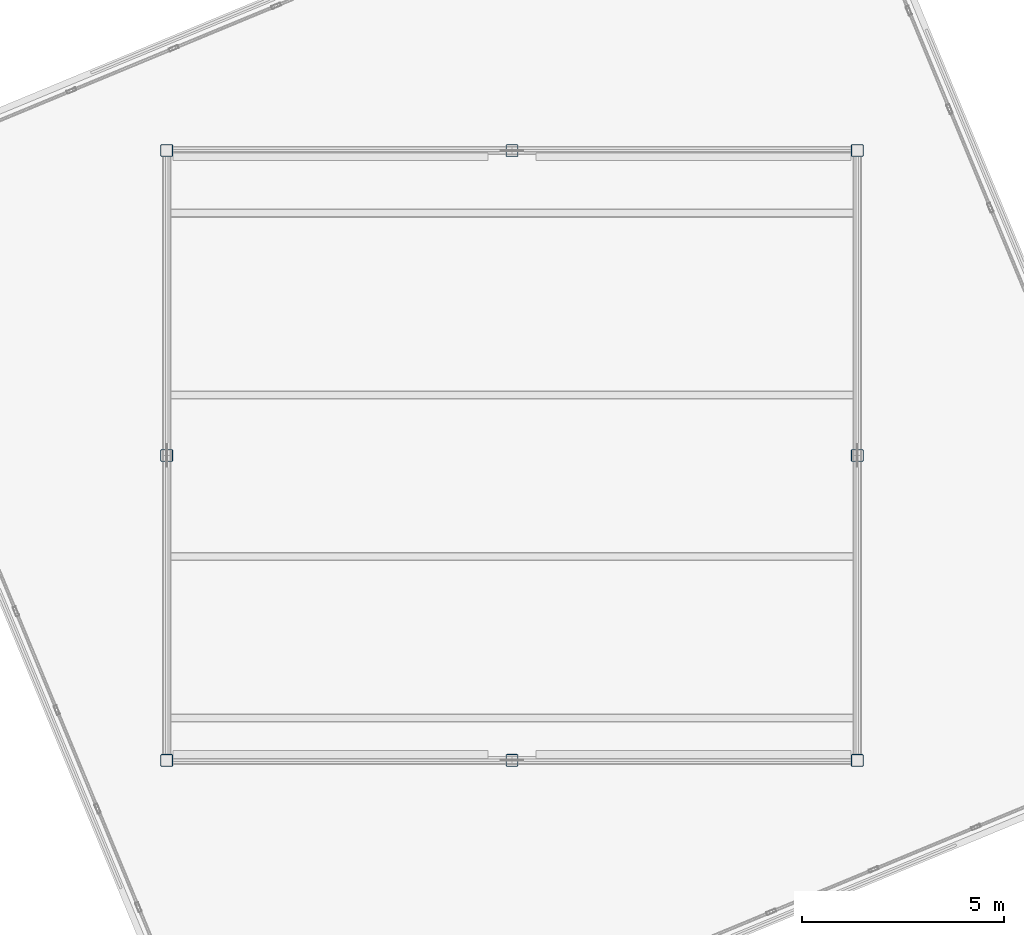
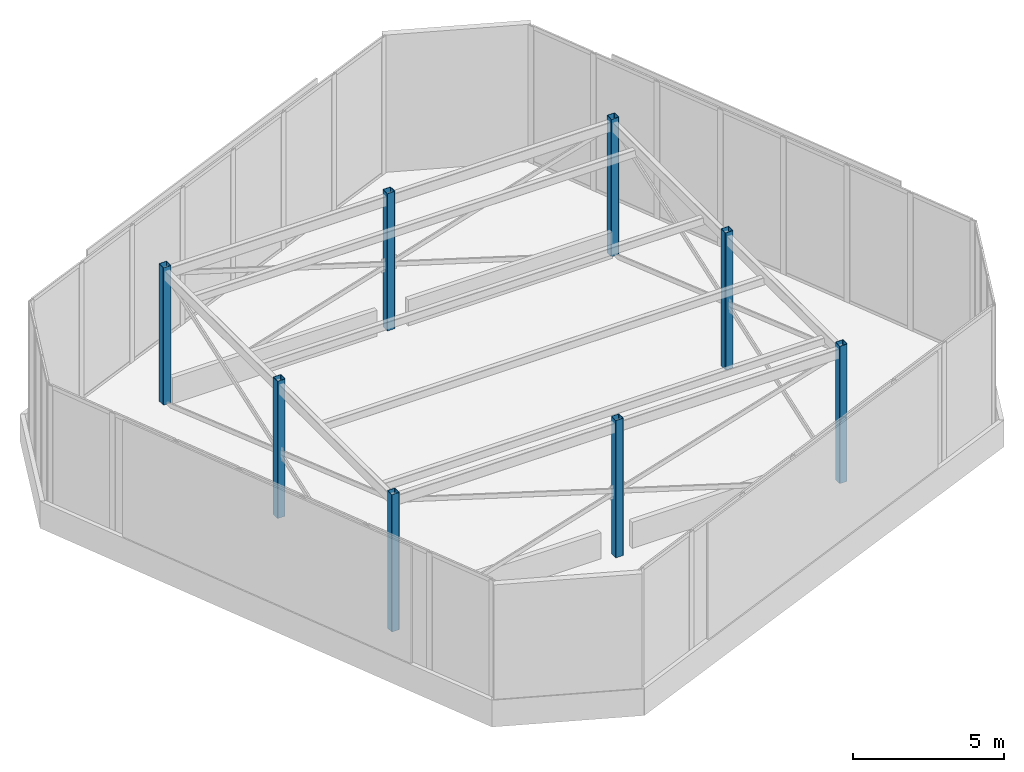
# One storey, part 1 of 12: 8 columns.
"""IFC4 building model written with IfcOpenShell, lengths in metres."""

from ifc_helpers import new_model, si_unit, direction, frame, origin, origin_2d, place, context, subcontext, project, spatial, hollow_rectangle, extrude, source, transform, mapped, material, material_profile, profile_set, type_object, element, save


model = new_model("IFC4")

# Units and contexts
model_context = context("Model", 3, precision=1e-05, world=origin(), true_north=direction((0.0, 1.0)))
body_context = subcontext(model_context, "Body", "Model", "MODEL_VIEW")
ifc_project = project(units=[si_unit("LENGTHUNIT", "METRE"), si_unit("AREAUNIT", "SQUARE_METRE"), si_unit("VOLUMEUNIT", "CUBIC_METRE"), si_unit("PLANEANGLEUNIT", "RADIAN"), si_unit("MASSUNIT", "GRAM", prefix="KILO")], contexts=[model_context])

# Site, building, storey
site_placement = place(None, origin())
site = spatial("IfcSite", under=ifc_project, at=site_placement, CompositionType="ELEMENT")
building_placement = place(site_placement, origin())
building = spatial("IfcBuilding", under=site, at=building_placement, Name="Torre Montelarca", CompositionType="ELEMENT")
storey_placement = place(building_placement, frame((0.0, 0.0, 370.60009765625)))
storey = spatial("IfcBuildingStorey", under=building, at=storey_placement, Name="RF", CompositionType="ELEMENT", Elevation=370.60009765625)

# Columns
ifc_material = material(Name="Steel ASTM A500 Grade C", Category="steel")
ifc_material_profile = material_profile(ifc_material, hollow_rectangle(XDim=0.3046875, YDim=0.3046875, WallThickness=0.015869140625, InnerFilletRadius=0.015869140625, OuterFilletRadius=0.03173828125, at=origin_2d()), Name="HSS305X305X15.9", Category="steel")
ifc_profile_set = profile_set([ifc_material_profile], Name="Steel ASTM A500 Grade C")
column_type = type_object("IfcColumnType", Name="COL-POST-HSS-EXT", PredefinedType="USERDEFINED", material=ifc_profile_set)
shared_shape = source(origin(), body_context, "Body", "SweptSolid", [
    extrude(hollow_rectangle(XDim=0.3046875, YDim=0.3046875, WallThickness=0.015869140625, InnerFilletRadius=0.015869140625, OuterFilletRadius=0.03173828125, at=origin_2d()), origin(), (0.0, 0.0, 1.0), 5.5390625),
])
for number, where, z_axis, x_axis, name in (
    (1, (9.449951171875, 24.449951171875, 0.000732421875), (0.0, 0.0, 1.0), (1.0, 0.0, 0.0), "RF Crown Frame Post 01"),
    (2, (18.0, 24.449951171875, 0.000732421875), (0.0, 0.0, 1.0), (1.0, 0.0, 0.0), "RF Crown Frame Post 02"),
    (3, (26.550048828125, 24.449951171875, 0.000732421875), (0.0, 0.0, 1.0), (1.0, 0.0, 0.0), "RF Crown Frame Post 03"),
    (4, (9.449951171875, 32.0, 0.000732421875), (0.0, 0.0, 1.0), (1.0, 0.0, 0.0), "RF Crown Frame Post 04"),
    (5, (26.550048828125, 32.0, 0.000732421875), (0.0, 0.0, 1.0), (1.0, 0.0, 0.0), "RF Crown Frame Post 05"),
    (6, (9.449951171875, 39.550048828125, 0.000732421875), (0.0, 0.0, 1.0), (1.0, 0.0, 0.0), "RF Crown Frame Post 06"),
    (7, (18.0, 39.550048828125, 0.000732421875), (0.0, 0.0, 1.0), (1.0, 0.0, 0.0), "RF Crown Frame Post 07"),
    (8, (26.550048828125, 39.550048828125, 0.000732421875), (0.0, 0.0, 1.0), (1.0, 0.0, 0.0), "RF Crown Frame Post 08"),
):
    element("IfcColumn", number, at=place(storey_placement, frame(where, z_axis=z_axis, x_axis=x_axis)), inside=storey, type_object=column_type, Name=name, ObjectType="POST", PredefinedType="USERDEFINED", context=body_context, shape_type="MappedRepresentation", body=[
        mapped(shared_shape, transform((0.0, 0.0, 0.0), scale=1.0)),
    ])

save(model, "model.ifc")
